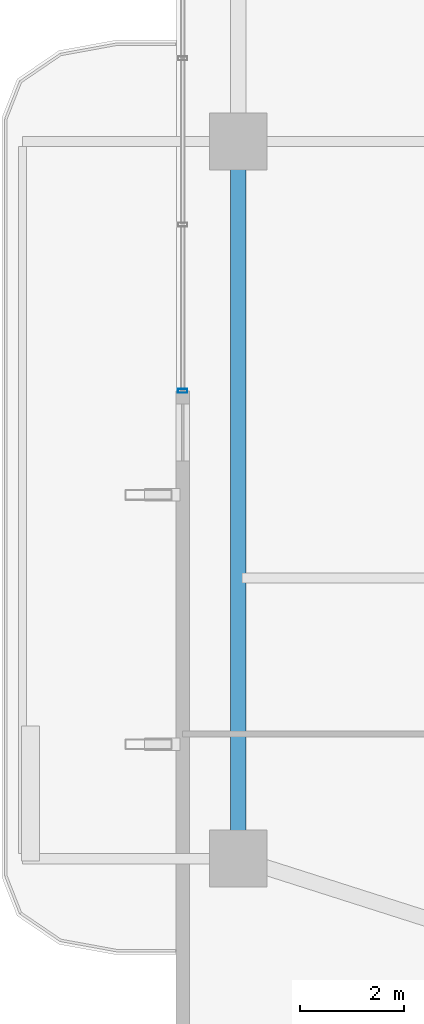
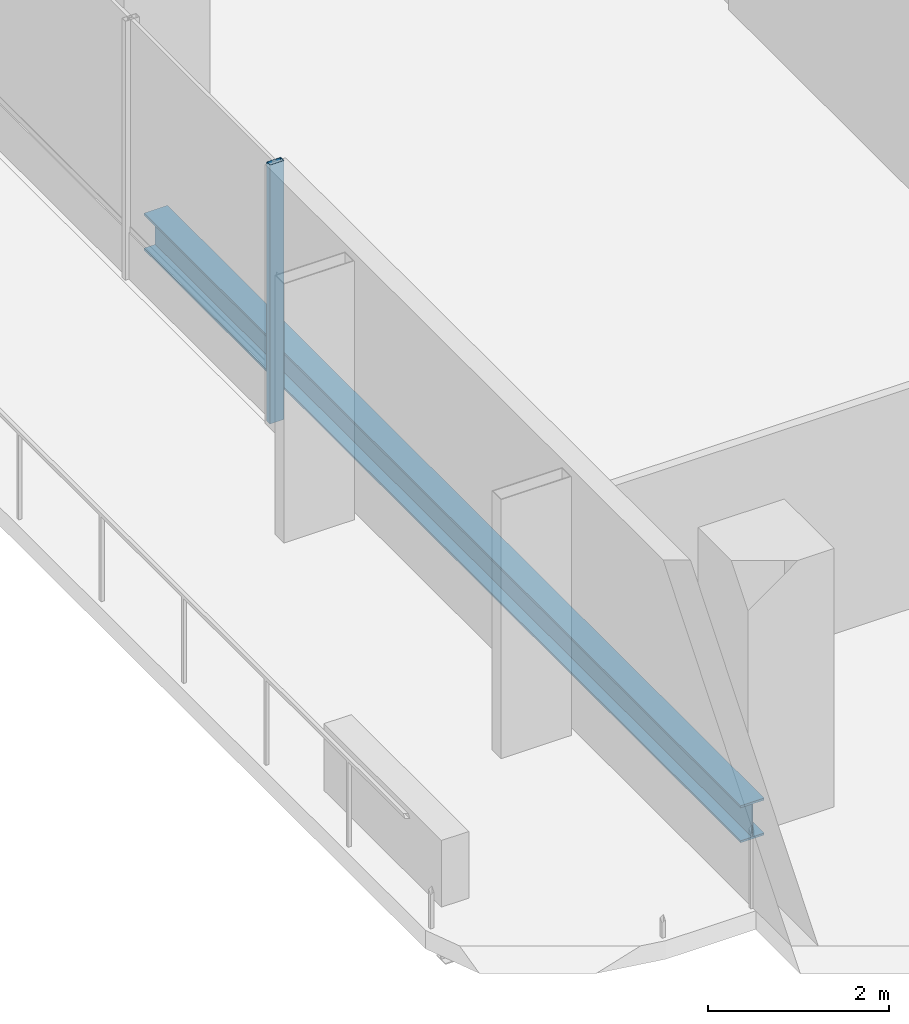
# One storey, part 4 of 25: 1 beam, 1 member, 1 element without a shape of its own.
"""IFC4 building model written with IfcOpenShell, lengths in metres."""

from ifc_helpers import new_model, si_unit, direction, frame, origin, origin_2d, place, context, subcontext, project, spatial, hollow_rectangle, i_section, extrude, material, layer, layer_set, material_profile, profile_set, type_object, element, aggregate, save


model = new_model("IFC4")

# Units and contexts
model_context = context("Model", 3, precision=1e-05, world=origin(), true_north=direction((0.0, 1.0)))
body_context = subcontext(model_context, "Body", "Model", "MODEL_VIEW")
ifc_project = project(units=[si_unit("LENGTHUNIT", "METRE"), si_unit("AREAUNIT", "SQUARE_METRE"), si_unit("VOLUMEUNIT", "CUBIC_METRE"), si_unit("PLANEANGLEUNIT", "RADIAN"), si_unit("MASSUNIT", "GRAM", prefix="KILO")], contexts=[model_context])

# Site, building, storey
site_placement = place(None, origin())
site = spatial("IfcSite", under=ifc_project, at=site_placement, CompositionType="ELEMENT")
building_placement = place(site_placement, origin())
building = spatial("IfcBuilding", under=site, at=building_placement, Name="Belovzor Exchange Tower", CompositionType="ELEMENT")
storey_placement = place(building_placement, frame((0.0, 0.0, 187.050048828125)))
storey = spatial("IfcBuildingStorey", under=building, at=storey_placement, Name="L46", CompositionType="ELEMENT", Elevation=187.050048828125)

# Curtain wall, member
ifc_material_1 = material(Name="Anodised Aluminium Framing", Category="aluminium")
ifc_layer = layer(ifc_material_1, 0.179931640625)
ifc_layer_set = layer_set([ifc_layer], Name="Anodised Aluminium Framing")
curtain_wall_type = type_object("IfcCurtainWallType", Name="Recessed Loggia Low-Iron Triple-Glazed Curtain Wall", PredefinedType="NOTDEFINED", material=ifc_layer_set)
curtain_wall_placement = place(storey_placement, origin())
curtain_wall = element("IfcCurtainWall", 1, at=curtain_wall_placement, inside=storey, type_object=curtain_wall_type, Name="CW3 Recessed Loggia Low-Iron Triple-Glazed Curtain Wall L46", PredefinedType="NOTDEFINED")
ifc_material_2 = material(Name="Steel S355", Category="steel")
ifc_material_profile_1 = material_profile(ifc_material_2, hollow_rectangle(XDim=0.074951171875, YDim=0.179931640625, WallThickness=0.0048828125, at=origin_2d()))
ifc_profile_set_1 = profile_set([ifc_material_profile_1], Name="Steel S355")
member_type = type_object("IfcMemberType", Name="Thermally Broken Curtain Wall Mullion 180x75", PredefinedType="MULLION", material=ifc_profile_set_1)
member_placement = place(storey_placement, frame((4.6298828125, 24.0, 0.0), z_axis=(0.0, 0.0, 1.0), x_axis=(0.0, 1.0, 0.0)))
member = element("IfcMember", 2, at=member_placement, type_object=member_type, Name="CW-M180 Curtain Wall Mullion 1", PredefinedType="MULLION", context=body_context, shape_type="SweptSolid", body=[
    extrude(hollow_rectangle(XDim=0.074951171875, YDim=0.179931640625, WallThickness=0.0048828125, at=origin_2d()), origin(), (0.0, 0.0, 1.0), 3.494873046875),
])
aggregate(curtain_wall, [member])

# Beam
ifc_material_3 = material(Name="Steel S355", Category="steel")
ifc_material_profile_2 = material_profile(ifc_material_3, i_section(OverallWidth=0.300048828125, OverallDepth=0.5, WebThickness=0.014404296875, FlangeThickness=0.028076171875, at=origin_2d()))
ifc_profile_set_2 = profile_set([ifc_material_profile_2], Name="Steel S355")
beam_type = type_object("IfcBeamType", Name="Zone 3 Waist Primary Girder HEB 500", PredefinedType="BEAM", material=ifc_profile_set_2)
beam_placement = place(storey_placement, frame((5.699951171875, 28.498046875, -0.505126953125), z_axis=(0.0, -1.0, 0.0), x_axis=(1.0, 0.0, 0.0)))
element("IfcBeam", 3, at=beam_placement, inside=storey, type_object=beam_type, Name="FG-Z3 Zone 3 Waist Primary Girder HEB 500", PredefinedType="BEAM", context=body_context, shape_type="SweptSolid", body=[
    extrude(i_section(OverallWidth=0.300048828125, OverallDepth=0.5, WebThickness=0.014404296875, FlangeThickness=0.028076171875, at=origin_2d()), origin(), (0.0, 0.0, 1.0), 13.195068359375),
])

save(model, "model.ifc")
